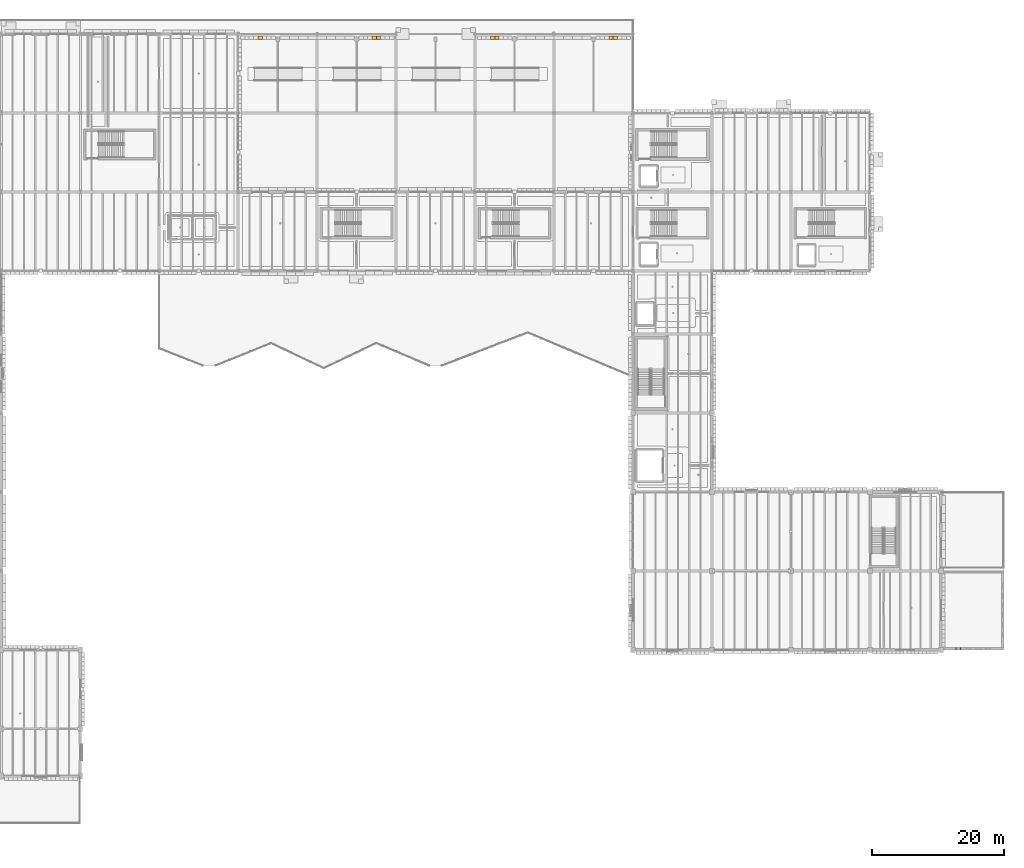
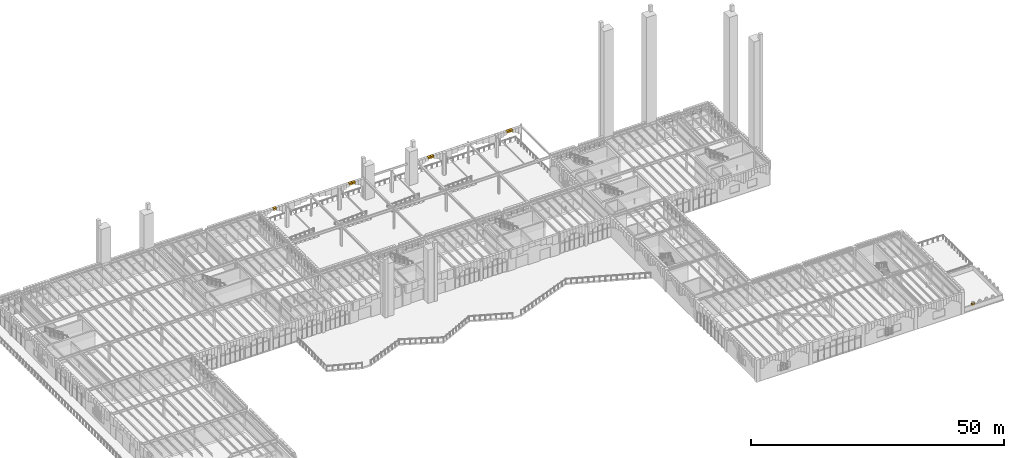
# One storey, part 102 of 103: 8 coverings.
"""IFC4 building model written with IfcOpenShell, lengths in metres."""

from ifc_helpers import new_model, si_unit, direction, frame, origin, place, context, subcontext, project, spatial, polyline, outline, extrude, material, layer, layer_set, type_object, element, save


model = new_model("IFC4")

# Units and contexts
model_context = context("Model", 3, precision=1e-05, world=origin(), true_north=direction((0.0, 1.0)))
body_context = subcontext(model_context, "Body", "Model", "MODEL_VIEW")
ifc_project = project(units=[si_unit("LENGTHUNIT", "METRE"), si_unit("AREAUNIT", "SQUARE_METRE"), si_unit("VOLUMEUNIT", "CUBIC_METRE"), si_unit("PLANEANGLEUNIT", "RADIAN"), si_unit("MASSUNIT", "GRAM", prefix="KILO")], contexts=[model_context])

# Site, building, storey
site_placement = place(None, origin())
site = spatial("IfcSite", under=ifc_project, at=site_placement, CompositionType="ELEMENT")
building_placement = place(site_placement, origin())
building = spatial("IfcBuilding", under=site, at=building_placement, Name="Zlatogorsky Bluff Art Gallery", CompositionType="ELEMENT")
storey_placement = place(building_placement, origin())
storey = spatial("IfcBuildingStorey", under=building, at=storey_placement, Name="L00", CompositionType="ELEMENT", Elevation=0.0)

# Coverings
ifc_material = material(Name="Honed Red Agra-Tone Quartzitic Sandstone", Category="masonry")
ifc_layer = layer(ifc_material, 0.1201171875)
ifc_layer_set = layer_set([ifc_layer], Name="Carved Sandstone Cladding CLD-02")
covering_type = type_object("IfcCoveringType", Name="Carved Sandstone Cladding CLD-02", PredefinedType="CLADDING", material=ifc_layer_set)
covering_1_placement = place(storey_placement, frame((0.0, 0.0, 4.93994140625)))
element("IfcCovering", 1, at=covering_1_placement, inside=storey, type_object=covering_type, Name="Pointed Mughal arch voussoir spandrel DALAN-FC-01.5", PredefinedType="CLADDING", context=body_context, shape_type="SweptSolid", body=[
    extrude(outline(polyline([(63.0, 119.169921875), (63.66259765625, 119.169921875), (63.66259765625, 119.719970703125), (63.0, 119.719970703125), (63.0, 119.169921875)])), origin(), (0.0, 0.0, 1.0), 0.4599609375),
])
covering_2_placement = place(storey_placement, frame((0.0, 0.0, 4.93994140625)))
element("IfcCovering", 2, at=covering_2_placement, inside=storey, type_object=covering_type, Name="Pointed Mughal arch voussoir spandrel DALAN-FC-03.4", PredefinedType="CLADDING", context=body_context, shape_type="SweptSolid", body=[
    extrude(outline(polyline([(80.33740234375, 119.169921875), (81.0, 119.169921875), (81.0, 119.719970703125), (80.33740234375, 119.719970703125), (80.33740234375, 119.169921875)])), origin(), (0.0, 0.0, 1.0), 0.4599609375),
])
covering_3_placement = place(storey_placement, frame((0.0, 0.0, 4.93994140625)))
element("IfcCovering", 3, at=covering_3_placement, inside=storey, type_object=covering_type, Name="Pointed Mughal arch voussoir spandrel DALAN-FC-03.5", PredefinedType="CLADDING", context=body_context, shape_type="SweptSolid", body=[
    extrude(outline(polyline([(81.0, 119.169921875), (81.66259765625, 119.169921875), (81.66259765625, 119.719970703125), (81.0, 119.719970703125), (81.0, 119.169921875)])), origin(), (0.0, 0.0, 1.0), 0.4599609375),
])
covering_4_placement = place(storey_placement, frame((0.0, 0.0, 4.93994140625)))
element("IfcCovering", 4, at=covering_4_placement, inside=storey, type_object=covering_type, Name="Pointed Mughal arch voussoir spandrel DALAN-FC-04.4", PredefinedType="CLADDING", context=body_context, shape_type="SweptSolid", body=[
    extrude(outline(polyline([(98.33740234375, 119.169921875), (99.0, 119.169921875), (99.0, 119.719970703125), (98.33740234375, 119.719970703125), (98.33740234375, 119.169921875)])), origin(), (0.0, 0.0, 1.0), 0.4599609375),
])
covering_5_placement = place(storey_placement, frame((0.0, 0.0, 4.93994140625)))
element("IfcCovering", 5, at=covering_5_placement, inside=storey, type_object=covering_type, Name="Pointed Mughal arch voussoir spandrel DALAN-FC-04.5", PredefinedType="CLADDING", context=body_context, shape_type="SweptSolid", body=[
    extrude(outline(polyline([(99.0, 119.169921875), (99.66259765625, 119.169921875), (99.66259765625, 119.719970703125), (99.0, 119.719970703125), (99.0, 119.169921875)])), origin(), (0.0, 0.0, 1.0), 0.4599609375),
])
covering_6_placement = place(storey_placement, frame((0.0, 0.0, 4.93994140625)))
element("IfcCovering", 6, at=covering_6_placement, inside=storey, type_object=covering_type, Name="Pointed Mughal arch voussoir spandrel DALAN-FC-06.4", PredefinedType="CLADDING", context=body_context, shape_type="SweptSolid", body=[
    extrude(outline(polyline([(116.33740234375, 119.169921875), (117.0, 119.169921875), (117.0, 119.719970703125), (116.33740234375, 119.719970703125), (116.33740234375, 119.169921875)])), origin(), (0.0, 0.0, 1.0), 0.4599609375),
])
covering_7_placement = place(storey_placement, frame((0.0, 0.0, 4.93994140625)))
element("IfcCovering", 7, at=covering_7_placement, inside=storey, type_object=covering_type, Name="Pointed Mughal arch voussoir spandrel DALAN-FC-06.5", PredefinedType="CLADDING", context=body_context, shape_type="SweptSolid", body=[
    extrude(outline(polyline([(117.0, 119.169921875), (117.66259765625, 119.169921875), (117.66259765625, 119.719970703125), (117.0, 119.719970703125), (117.0, 119.169921875)])), origin(), (0.0, 0.0, 1.0), 0.4599609375),
])
covering_8_placement = place(storey_placement, frame((0.0, 0.0, 1.1201171875)))
element("IfcCovering", 8, at=covering_8_placement, inside=storey, type_object=covering_type, Name="Kangura stepped merlon base PAR-RF-L00-01-1.1", PredefinedType="CLADDING", context=body_context, shape_type="SweptSolid", body=[
    extrude(outline(polyline([(169.070068359375, 26.419921875), (169.830078125, 26.419921875), (169.830078125, 26.699951171875), (169.070068359375, 26.699951171875), (169.070068359375, 26.419921875)])), origin(), (0.0, 0.0, 1.0), 0.389404296875),
])

save(model, "model.ifc")
